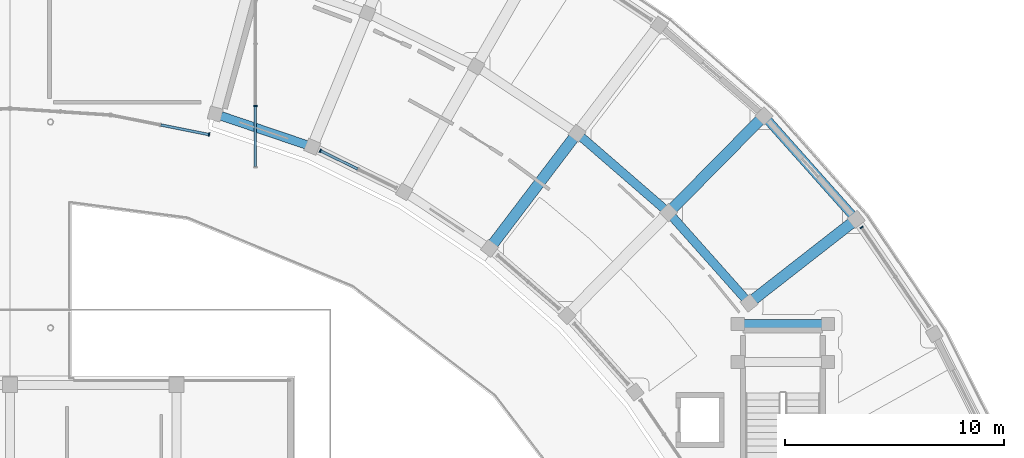
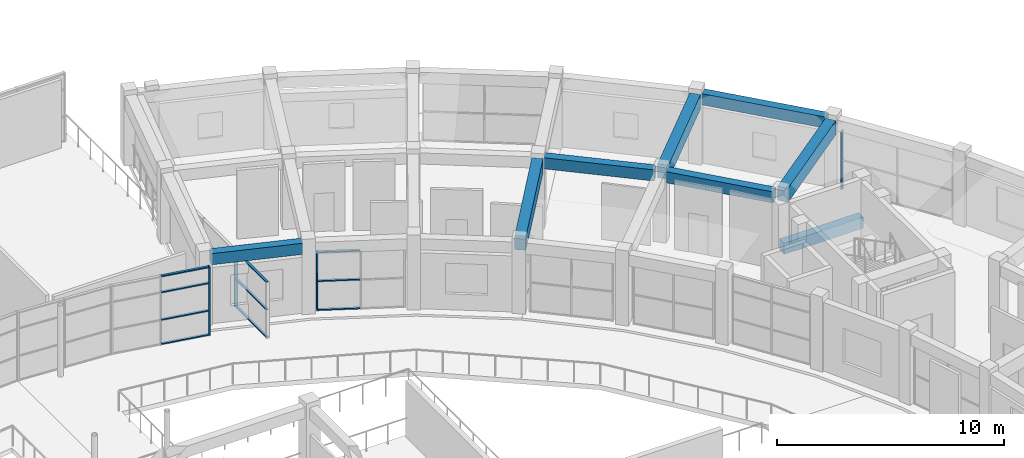
# One storey, part 37 of 83: 14 members, 8 beams, 4 elements without a shape of their own.
"""IFC4 building model written with IfcOpenShell, lengths in metres."""

from ifc_helpers import new_model, si_unit, direction, frame, origin, origin_2d, place, context, subcontext, project, spatial, rectangle, extrude, material, material_profile, profile_set, type_object, element, aggregate, save


model = new_model("IFC4")

# Units and contexts
model_context = context("Model", 3, precision=1e-05, world=origin(), true_north=direction((0.0, 1.0)))
body_context = subcontext(model_context, "Body", "Model", "MODEL_VIEW")
ifc_project = project(units=[si_unit("LENGTHUNIT", "METRE"), si_unit("AREAUNIT", "SQUARE_METRE"), si_unit("VOLUMEUNIT", "CUBIC_METRE"), si_unit("PLANEANGLEUNIT", "RADIAN"), si_unit("MASSUNIT", "GRAM", prefix="KILO")], contexts=[model_context])

# Site, building, storey
site_placement = place(None, origin())
site = spatial("IfcSite", under=ifc_project, at=site_placement, CompositionType="ELEMENT")
building_placement = place(site_placement, origin())
building = spatial("IfcBuilding", under=site, at=building_placement, Name="Saryqyr Civic Hall", CompositionType="ELEMENT")
storey_placement = place(building_placement, frame((0.0, 0.0, 9.14990234375)))
storey = spatial("IfcBuildingStorey", under=building, at=storey_placement, Name="L02", CompositionType="ELEMENT", Elevation=9.14990234375)

# Curtain wall, member
ifc_material_1 = material(Name="Anodised aluminium and triple low-E glass", Category="aluminium")
curtain_wall_type_1 = type_object("IfcCurtainWallType", Name="ENV-CW-STD-47", PredefinedType="NOTDEFINED", material=ifc_material_1)
curtain_wall_1_placement = place(storey_placement, origin())
curtain_wall_1 = element("IfcCurtainWall", 1, at=curtain_wall_1_placement, inside=storey, type_object=curtain_wall_type_1, Name="Curtain wall V6-CWO-L02-04", PredefinedType="NOTDEFINED")
ifc_material_2 = material(Name="Anodised aluminium", Category="aluminium")
ifc_material_profile_1 = material_profile(ifc_material_2, rectangle(XDim=0.06005859375, YDim=0.159912109375, at=origin_2d()), Name="ALU MULLION 60x160")
ifc_profile_set_1 = profile_set([ifc_material_profile_1], Name="Anodised aluminium")
member_type_1 = type_object("IfcMemberType", Name="ENV-CW-MUL-180", PredefinedType="MULLION", material=ifc_profile_set_1)
member_1_placement = place(storey_placement, frame((95.874267578125, 113.785888671875, 0.0), z_axis=(0.0, 0.0, 1.0), x_axis=(0.563117564, -0.826376796089, 0.0)))
member_1 = element("IfcMember", 2, at=member_1_placement, type_object=member_type_1, Name="CW-47 mullion 1", PredefinedType="MULLION", context=body_context, shape_type="SweptSolid", body=[
    extrude(rectangle(XDim=0.06005859375, YDim=0.159912109375, at=origin_2d()), origin(), (0.0, 0.0, 1.0), 3.1650390625),
])
aggregate(curtain_wall_1, [member_1])

curtain_wall_type_2 = type_object("IfcCurtainWallType", Name="ENV-CW-STD-25", PredefinedType="NOTDEFINED", material=ifc_material_1)
curtain_wall_2_placement = place(storey_placement, origin())
curtain_wall_2 = element("IfcCurtainWall", 3, at=curtain_wall_2_placement, inside=storey, type_object=curtain_wall_type_2, Name="Curtain wall V6-CWI-L02-08", PredefinedType="NOTDEFINED")
member_2_placement = place(storey_placement, frame((71.16455078125, 117.28759765625, 0.0), z_axis=(0.0, 0.0, 1.0), x_axis=(-0.897961859945, 0.440073287175, 0.0)))
member_2 = element("IfcMember", 4, at=member_2_placement, type_object=member_type_1, Name="CW-25 mullion 3", PredefinedType="MULLION", context=body_context, shape_type="SweptSolid", body=[
    extrude(rectangle(XDim=0.06005859375, YDim=0.159912109375, at=origin_2d()), origin(), (0.0, 0.0, 1.0), 3.1650390625),
])

curtain_wall_type_3 = type_object("IfcCurtainWallType", Name="ENV-CW-STD-79", PredefinedType="NOTDEFINED", material=ifc_material_1)
curtain_wall_3_placement = place(storey_placement, origin())
curtain_wall_3 = element("IfcCurtainWall", 5, at=curtain_wall_3_placement, inside=storey, type_object=curtain_wall_type_3, Name="Curtain wall V2-VESTFLK-NE-L02", PredefinedType="NOTDEFINED")
member_3_placement = place(storey_placement, frame((68.199951171875, 119.333984375, 0.0), z_axis=(0.0, 0.0, 1.0), x_axis=(0.0, -1.0, 0.0)))
member_3 = element("IfcMember", 6, at=member_3_placement, type_object=member_type_1, Name="CW-79 mullion 3", PredefinedType="MULLION", context=body_context, shape_type="SweptSolid", body=[
    extrude(rectangle(XDim=0.06005859375, YDim=0.159912109375, at=origin_2d()), origin(), (0.0, 0.0, 1.0), 3.01513671875),
])

curtain_wall_type_4 = type_object("IfcCurtainWallType", Name="ENV-CW-STD-74", PredefinedType="NOTDEFINED", material=ifc_material_1)
curtain_wall_4_placement = place(storey_placement, origin())
curtain_wall_4 = element("IfcCurtainWall", 7, at=curtain_wall_4_placement, inside=storey, type_object=curtain_wall_type_4, Name="Curtain wall V2-PERIM-CW-L02-10", PredefinedType="NOTDEFINED")
member_4_placement = place(storey_placement, frame((66.086181640625, 118.025634765625, 0.0), z_axis=(0.0, 0.0, 1.0), x_axis=(0.980784679507, -0.195093342902, 0.0)))
member_4 = element("IfcMember", 8, at=member_4_placement, type_object=member_type_1, Name="CW-74 mullion 3", PredefinedType="MULLION", context=body_context, shape_type="SweptSolid", body=[
    extrude(rectangle(XDim=0.06005859375, YDim=0.159912109375, at=origin_2d()), origin(), (0.0, 0.0, 1.0), 3.7001953125),
])

# Member
ifc_material_profile_2 = material_profile(ifc_material_2, rectangle(XDim=0.1201171875, YDim=0.06005859375, at=origin_2d()), Name="ALU TRANSOM 120x60")
ifc_profile_set_2 = profile_set([ifc_material_profile_2], Name="Anodised aluminium")
member_type_2 = type_object("IfcMemberType", Name="ENV-CW-TRN-150", PredefinedType="USERDEFINED", material=ifc_profile_set_2)
member_5_placement = place(storey_placement, frame((72.869873046875, 116.451904296875, 0.030029296875), z_axis=(-0.897952102471, 0.44009319657, 0.0), x_axis=(-0.44009319657, -0.897952102471, 0.0)))
member_5 = element("IfcMember", 9, at=member_5_placement, type_object=member_type_2, Name="CW-25 transom 2.1", ObjectType="TRANSOM", PredefinedType="USERDEFINED", context=body_context, shape_type="SweptSolid", body=[
    extrude(rectangle(XDim=0.1201171875, YDim=0.06005859375, at=origin_2d()), origin(), (0.0, 0.0, 1.0), 1.868896484375),
])

member_6_placement = place(storey_placement, frame((72.869873046875, 116.451904296875, 1.58203125), z_axis=(-0.897952102471, 0.44009319657, 0.0), x_axis=(-0.44009319657, -0.897952102471, 0.0)))
member_6 = element("IfcMember", 10, at=member_6_placement, type_object=member_type_2, Name="CW-25 transom 2.2", ObjectType="TRANSOM", PredefinedType="USERDEFINED", context=body_context, shape_type="SweptSolid", body=[
    extrude(rectangle(XDim=0.1201171875, YDim=0.06005859375, at=origin_2d()), origin(), (0.0, 0.0, 1.0), 1.868896484375),
])

member_7_placement = place(storey_placement, frame((72.869873046875, 116.451904296875, 3.135009765625), z_axis=(-0.897952102471, 0.44009319657, 0.0), x_axis=(-0.44009319657, -0.897952102471, 0.0)))
member_7 = element("IfcMember", 11, at=member_7_placement, type_object=member_type_2, Name="CW-25 transom 2.3", ObjectType="TRANSOM", PredefinedType="USERDEFINED", context=body_context, shape_type="SweptSolid", body=[
    extrude(rectangle(XDim=0.1201171875, YDim=0.06005859375, at=origin_2d()), origin(), (0.0, 0.0, 1.0), 1.868896484375),
])

aggregate(curtain_wall_2, [member_2, member_5, member_6, member_7])

member_8_placement = place(storey_placement, frame((68.199951171875, 119.303955078125, 0.030029296875), z_axis=(0.0, -1.0, 0.0), x_axis=(1.0, 0.0, 0.0)))
member_8 = element("IfcMember", 12, at=member_8_placement, type_object=member_type_2, Name="CW-79 transom 3.1", ObjectType="TRANSOM", PredefinedType="USERDEFINED", context=body_context, shape_type="SweptSolid", body=[
    extrude(rectangle(XDim=0.1201171875, YDim=0.06005859375, at=origin_2d()), origin(), (0.0, 0.0, 1.0), 2.743896484375),
])

member_9_placement = place(storey_placement, frame((68.199951171875, 119.303955078125, 1.508056640625), z_axis=(0.0, -1.0, 0.0), x_axis=(1.0, 0.0, 0.0)))
member_9 = element("IfcMember", 13, at=member_9_placement, type_object=member_type_2, Name="CW-79 transom 3.2", ObjectType="TRANSOM", PredefinedType="USERDEFINED", context=body_context, shape_type="SweptSolid", body=[
    extrude(rectangle(XDim=0.1201171875, YDim=0.06005859375, at=origin_2d()), origin(), (0.0, 0.0, 1.0), 2.743896484375),
])

member_10_placement = place(storey_placement, frame((68.199951171875, 119.303955078125, 2.985107421875), z_axis=(0.0, -1.0, 0.0), x_axis=(1.0, 0.0, 0.0)))
member_10 = element("IfcMember", 14, at=member_10_placement, type_object=member_type_2, Name="CW-79 transom 3.3", ObjectType="TRANSOM", PredefinedType="USERDEFINED", context=body_context, shape_type="SweptSolid", body=[
    extrude(rectangle(XDim=0.1201171875, YDim=0.06005859375, at=origin_2d()), origin(), (0.0, 0.0, 1.0), 2.743896484375),
])

aggregate(curtain_wall_3, [member_3, member_8, member_9, member_10])

member_11_placement = place(storey_placement, frame((63.8857421875, 118.46337890625, 0.030029296875), z_axis=(0.980779555737, -0.195119099651, 0.0), x_axis=(0.195119099651, 0.980779555737, 0.0)))
member_11 = element("IfcMember", 15, at=member_11_placement, type_object=member_type_2, Name="CW-74 transom 2.1", ObjectType="TRANSOM", PredefinedType="USERDEFINED", context=body_context, shape_type="SweptSolid", body=[
    extrude(rectangle(XDim=0.1201171875, YDim=0.06005859375, at=origin_2d()), origin(), (0.0, 0.0, 1.0), 2.21337890625),
])

member_12_placement = place(storey_placement, frame((63.8857421875, 118.46337890625, 1.33203125), z_axis=(0.980779555737, -0.195119099651, 0.0), x_axis=(0.195119099651, 0.980779555737, 0.0)))
member_12 = element("IfcMember", 16, at=member_12_placement, type_object=member_type_2, Name="CW-74 transom 2.2", ObjectType="TRANSOM", PredefinedType="USERDEFINED", context=body_context, shape_type="SweptSolid", body=[
    extrude(rectangle(XDim=0.1201171875, YDim=0.06005859375, at=origin_2d()), origin(), (0.0, 0.0, 1.0), 2.21337890625),
])

member_13_placement = place(storey_placement, frame((63.8857421875, 118.46337890625, 2.81201171875), z_axis=(0.980779555737, -0.195119099651, 0.0), x_axis=(0.195119099651, 0.980779555737, 0.0)))
member_13 = element("IfcMember", 17, at=member_13_placement, type_object=member_type_2, Name="CW-74 transom 2.3", ObjectType="TRANSOM", PredefinedType="USERDEFINED", context=body_context, shape_type="SweptSolid", body=[
    extrude(rectangle(XDim=0.1201171875, YDim=0.06005859375, at=origin_2d()), origin(), (0.0, 0.0, 1.0), 2.21337890625),
])

member_14_placement = place(storey_placement, frame((63.8857421875, 118.46337890625, 3.670166015625), z_axis=(0.980779555737, -0.195119099651, 0.0), x_axis=(0.195119099651, 0.980779555737, 0.0)))
member_14 = element("IfcMember", 18, at=member_14_placement, type_object=member_type_2, Name="CW-74 transom 2.4", ObjectType="TRANSOM", PredefinedType="USERDEFINED", context=body_context, shape_type="SweptSolid", body=[
    extrude(rectangle(XDim=0.1201171875, YDim=0.06005859375, at=origin_2d()), origin(), (0.0, 0.0, 1.0), 2.21337890625),
])

aggregate(curtain_wall_4, [member_4, member_11, member_12, member_13, member_14])

# Beams
ifc_material_3 = material(Name="Concrete C35/45", Category="concrete")
ifc_material_profile_3 = material_profile(ifc_material_3, rectangle(XDim=0.39990234375, YDim=0.60009765625, at=origin_2d()), Name="RC 400x600")
ifc_profile_set_3 = profile_set([ifc_material_profile_3], Name="Concrete C35/45")
beam_type_1 = type_object("IfcBeamType", Name="STR-BM-RC400x600", PredefinedType="BEAM", material=ifc_profile_set_3)
beam_1_placement = place(storey_placement, frame((90.555419921875, 110.541015625, 3.489990234375), z_axis=(-0.664939021665, 0.746897648589, 0.0), x_axis=(-0.746897648589, -0.664939021665, 0.0)))
element("IfcBeam", 19, at=beam_1_placement, inside=storey, type_object=beam_type_1, Name="Beam V6-CBM-MID05-L02", PredefinedType="BEAM", context=body_context, shape_type="SweptSolid", body=[
    extrude(rectangle(XDim=0.39990234375, YDim=0.60009765625, at=origin_2d()), origin(), (0.0, 0.0, 1.0), 4.9775390625),
])
beam_2_placement = place(storey_placement, frame((86.85498046875, 114.644287109375, 3.489990234375), z_axis=(-0.755658334576, 0.654966015443, 0.0), x_axis=(-0.654966015443, -0.755658334576, 0.0)))
element("IfcBeam", 20, at=beam_2_placement, inside=storey, type_object=beam_type_1, Name="Beam V6-CBM-MID06-L02", PredefinedType="BEAM", context=body_context, shape_type="SweptSolid", body=[
    extrude(rectangle(XDim=0.39990234375, YDim=0.60009765625, at=origin_2d()), origin(), (0.0, 0.0, 1.0), 4.977783203125),
])
beam_3_placement = place(storey_placement, frame((94.300048828125, 109.3798828125, 1.525146484375), z_axis=(-1.0, 0.0, 0.0), x_axis=(0.0, -1.0, 0.0)))
element("IfcBeam", 21, at=beam_3_placement, inside=storey, type_object=beam_type_1, Name="Stair half-landing support beam ST-6-LND2-L02", PredefinedType="BEAM", context=body_context, shape_type="SweptSolid", body=[
    extrude(rectangle(XDim=0.39990234375, YDim=0.60009765625, at=origin_2d()), origin(), (0.0, 0.0, 1.0), 4.0400390625),
])
ifc_material_profile_4 = material_profile(ifc_material_3, rectangle(XDim=0.39990234375, YDim=0.60009765625, at=origin_2d()), Name="RC 400x600")
ifc_profile_set_4 = profile_set([ifc_material_profile_4], Name="Concrete C35/45")
beam_type_2 = type_object("IfcBeamType", Name="STR-BM-RC400x600-EXT", PredefinedType="BEAM", material=ifc_profile_set_4)
beam_4_placement = place(storey_placement, frame((95.44287109375, 114.35595703125, 3.489990234375), z_axis=(-0.664935334845, 0.74690093083, 0.0), x_axis=(-0.74690093083, -0.664935334845, 0.0)))
element("IfcBeam", 22, at=beam_4_placement, inside=storey, type_object=beam_type_2, Name="Beam V6-CBM-OUT05-L02", PredefinedType="BEAM", context=body_context, shape_type="SweptSolid", body=[
    extrude(rectangle(XDim=0.39990234375, YDim=0.60009765625, at=origin_2d()), origin(), (0.0, 0.0, 1.0), 5.7783203125),
])
beam_5_placement = place(storey_placement, frame((70.537109375, 117.5556640625, 3.489990234375), z_axis=(-0.947199378893, 0.320645188057, 0.0), x_axis=(-0.320645188057, -0.947199378893, 0.0)))
element("IfcBeam", 23, at=beam_5_placement, inside=storey, type_object=beam_type_2, Name="Beam V6-CBM-IN09-L02", PredefinedType="BEAM", context=body_context, shape_type="SweptSolid", body=[
    extrude(rectangle(XDim=0.39990234375, YDim=0.60009765625, at=origin_2d()), origin(), (0.0, 0.0, 1.0), 4.125244140625),
])
ifc_material_4 = material(Name="Concrete C40/50", Category="concrete")
ifc_material_profile_5 = material_profile(ifc_material_4, rectangle(XDim=0.5, YDim=0.75, at=origin_2d()), Name="RC 500x750")
ifc_profile_set_5 = profile_set([ifc_material_profile_5], Name="Concrete C40/50")
beam_type_3 = type_object("IfcBeamType", Name="STR-BM-RC500x750", PredefinedType="BEAM", material=ifc_profile_set_5)
for number, where, z_axis, x_axis, name in (
    (24, (90.955078125, 110.5048828125, 3.4150390625), (0.788283067243, 0.615312770791, 0.0), (-0.615312770791, 0.788283067243, 0.0), "Beam V6-RBM-B05-L02"),
    (25, (87.256103515625, 114.659912109375, 3.4150390625), (0.702381187414, 0.711801002785, 0.0), (-0.711801002785, 0.702381187414, 0.0), "Beam V6-RBM-B06-L02"),
):
    element("IfcBeam", number, at=place(storey_placement, frame(where, z_axis=z_axis, x_axis=x_axis)), inside=storey, type_object=beam_type_3, Name=name, PredefinedType="BEAM", context=body_context, shape_type="SweptSolid", body=[
        extrude(rectangle(XDim=0.5, YDim=0.75, at=origin_2d()), origin(), (0.0, 0.0, 1.0), 5.650146484375),
    ])
beam_6_placement = place(storey_placement, frame((79.060302734375, 113.047607421875, 3.4150390625), z_axis=(0.60481209734, 0.796368210636, 0.0), x_axis=(-0.796368210636, 0.60481209734, 0.0)))
element("IfcBeam", 26, at=beam_6_placement, inside=storey, type_object=beam_type_3, Name="Beam V6-RBM-A07-L02", PredefinedType="BEAM", context=body_context, shape_type="SweptSolid", body=[
    extrude(rectangle(XDim=0.5, YDim=0.75, at=origin_2d()), origin(), (0.0, 0.0, 1.0), 6.050048828125),
])

save(model, "model.ifc")
